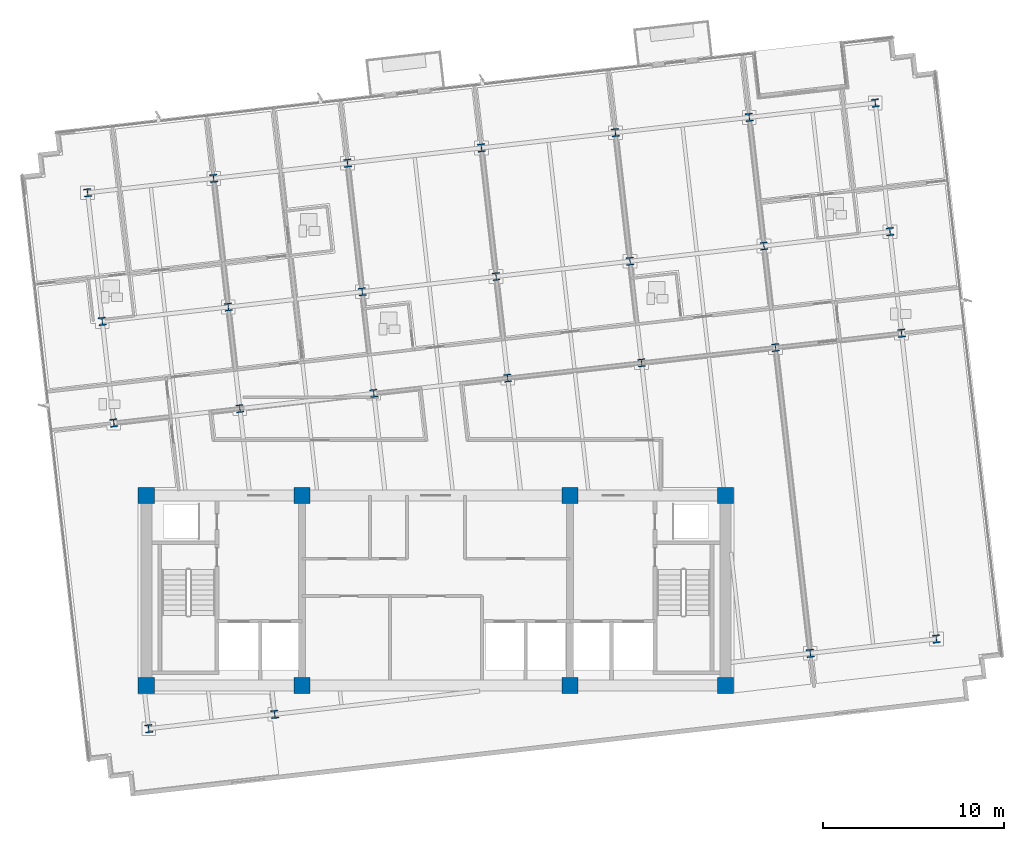
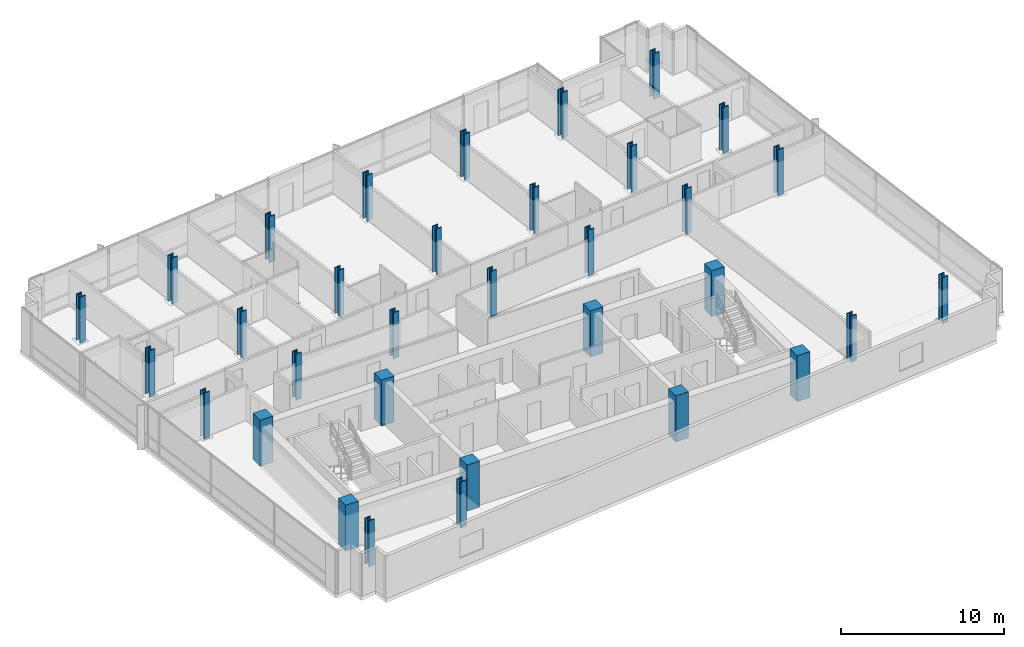
# One storey, part 1 of 16: 33 columns.
"""IFC4 building model written with IfcOpenShell, lengths in metres."""

from ifc_helpers import new_model, si_unit, direction, frame, origin, origin_2d, place, context, subcontext, project, spatial, rectangle, i_section, extrude, material, material_profile, profile_set, type_object, element, save


model = new_model("IFC4")

# Units and contexts
model_context = context("Model", 3, precision=1e-05, world=origin(), true_north=direction((0.0, 1.0)))
body_context = subcontext(model_context, "Body", "Model", "MODEL_VIEW")
ifc_project = project(units=[si_unit("LENGTHUNIT", "METRE"), si_unit("AREAUNIT", "SQUARE_METRE"), si_unit("VOLUMEUNIT", "CUBIC_METRE"), si_unit("PLANEANGLEUNIT", "RADIAN"), si_unit("MASSUNIT", "GRAM", prefix="KILO")], contexts=[model_context])

# Site, building, storey
site_placement = place(None, origin())
site = spatial("IfcSite", under=ifc_project, at=site_placement, CompositionType="ELEMENT")
building_placement = place(site_placement, origin())
building = spatial("IfcBuilding", under=site, at=building_placement, Name="Solmavex Isthmus Hotel", CompositionType="ELEMENT")
storey_placement = place(building_placement, frame((0.0, 0.0, 219.300048828125)))
storey = spatial("IfcBuildingStorey", under=building, at=storey_placement, Name="L59", CompositionType="ELEMENT", Elevation=219.300048828125)

# Columns
ifc_material_1 = material(Name="Concrete C50/60", Category="concrete")
ifc_material_profile_1 = material_profile(ifc_material_1, rectangle(XDim=0.89990234375, YDim=0.89990234375, at=origin_2d()), Name="RC900X900")
ifc_profile_set_1 = profile_set([ifc_material_profile_1], Name="Concrete C50/60")
column_type_1 = type_object("IfcColumnType", Name="COL-CC-900", PredefinedType="COLUMN", material=ifc_profile_set_1)
for number, where, z_axis, x_axis, name in (
    (1, (-16.0, -13.0, 0.0), (0.0, 0.0, 1.0), (1.0, 0.0, 0.0), "Core Pilaster CC-SW L59"),
    (2, (-7.39990234375, -13.0, 0.0), (0.0, 0.0, 1.0), (1.0, 0.0, 0.0), "Core Pilaster CC-S1 L59"),
    (3, (7.39990234375, -13.0, 0.0), (0.0, 0.0, 1.0), (1.0, 0.0, 0.0), "Core Pilaster CC-S2 L59"),
    (4, (16.0, -13.0, 0.0), (0.0, 0.0, 1.0), (1.0, 0.0, 0.0), "Core Pilaster CC-SE L59"),
    (5, (-16.0, -2.5, 0.0), (0.0, 0.0, 1.0), (1.0, 0.0, 0.0), "Core Pilaster CC-NW L59"),
    (6, (-7.39990234375, -2.5, 0.0), (0.0, 0.0, 1.0), (1.0, 0.0, 0.0), "Core Pilaster CC-N1 L59"),
    (7, (7.39990234375, -2.5, 0.0), (0.0, 0.0, 1.0), (1.0, 0.0, 0.0), "Core Pilaster CC-N2 L59"),
    (8, (16.0, -2.5, 0.0), (0.0, 0.0, 1.0), (1.0, 0.0, 0.0), "Core Pilaster CC-NE L59"),
):
    element("IfcColumn", number, at=place(storey_placement, frame(where, z_axis=z_axis, x_axis=x_axis)), inside=storey, type_object=column_type_1, Name=name, PredefinedType="COLUMN", context=body_context, shape_type="SweptSolid", body=[
        extrude(rectangle(XDim=0.89990234375, YDim=0.89990234375, at=origin_2d()), origin(), (0.0, 0.0, 1.0), 3.449951171875),
    ])
ifc_material_2 = material(Name="Steel ASTM A913 Grade 65", Category="steel")
ifc_material_profile_2 = material_profile(ifc_material_2, i_section(OverallWidth=0.412109375, OverallDepth=0.434814453125, WebThickness=0.035888671875, FlangeThickness=0.057373046875, FilletRadius=0.030517578125, at=origin_2d()), Name="W14X311")
ifc_profile_set_2 = profile_set([ifc_material_profile_2], Name="Steel ASTM A913 Grade 65")
column_type_2 = type_object("IfcColumnType", Name="COL-SC-W14X311", PredefinedType="COLUMN", material=ifc_profile_set_2)
for number, where, z_axis, x_axis, name in (
    (9, (-10.833984375, 2.30078125, 0.0), (0.0, 0.0, 1.0), (0.993571855677, 0.113203213768, 0.0), "Tower Column B4-U2V2 L59"),
    (10, (-11.473388671875, 7.912353515625, 0.0), (0.0, 0.0, 1.0), (0.993571855677, 0.113203213768, 0.0), "Tower Column B4-U2V3 L59"),
    (11, (-3.435791015625, 3.1435546875, 0.0), (0.0, 0.0, 1.0), (0.993571855677, 0.113203213768, 0.0), "Tower Column B4-U3V2 L59"),
    (12, (-4.0751953125, 8.75537109375, 0.0), (0.0, 0.0, 1.0), (0.993571855677, 0.113203213768, 0.0), "Tower Column B4-U3V3 L59"),
    (13, (3.962158203125, 3.986572265625, 0.0), (0.0, 0.0, 1.0), (0.993571855677, 0.113203213768, 0.0), "Tower Column B4-U4V2 L59"),
    (14, (3.322998046875, 9.59814453125, 0.0), (0.0, 0.0, 1.0), (0.993571855677, 0.113203213768, 0.0), "Tower Column B4-U4V3 L59"),
    (15, (11.3603515625, 4.829345703125, 0.0), (0.0, 0.0, 1.0), (0.993571855677, 0.113203213768, 0.0), "Tower Column B4-U5V2 L59"),
    (16, (10.720947265625, 10.441162109375, 0.0), (0.0, 0.0, 1.0), (0.993571855677, 0.113203213768, 0.0), "Tower Column B4-U5V3 L59"),
    (17, (18.758544921875, 5.67236328125, 0.0), (0.0, 0.0, 1.0), (0.993571855677, 0.113203213768, 0.0), "Tower Column B4-U6V2 L59"),
    (18, (18.119140625, 11.283935546875, 0.0), (0.0, 0.0, 1.0), (0.993571855677, 0.113203213768, 0.0), "Tower Column B4-U6V3 L59"),
):
    element("IfcColumn", number, at=place(storey_placement, frame(where, z_axis=z_axis, x_axis=x_axis)), inside=storey, type_object=column_type_2, Name=name, PredefinedType="COLUMN", context=body_context, shape_type="SweptSolid", body=[
        extrude(i_section(OverallWidth=0.412109375, OverallDepth=0.434814453125, WebThickness=0.035888671875, FlangeThickness=0.057373046875, FilletRadius=0.030517578125, at=origin_2d()), origin(), (0.0, 0.0, 1.0), 3.449951171875),
    ])
ifc_material_profile_3 = material_profile(ifc_material_2, i_section(OverallWidth=0.41845703125, OverallDepth=0.455078125, WebThickness=0.0419921875, FlangeThickness=0.067626953125, FilletRadius=0.030517578125, at=origin_2d()), Name="W14X370")
ifc_profile_set_3 = profile_set([ifc_material_profile_3], Name="Steel ASTM A913 Grade 65")
column_type_3 = type_object("IfcColumnType", Name="COL-SC-W14X370", PredefinedType="COLUMN", material=ifc_profile_set_3)
for number, where, z_axis, x_axis, name in (
    (19, (-15.87255859375, -15.38330078125, 0.0), (0.0, 0.0, 1.0), (0.993571855677, 0.113203213768, 0.0), "Tower Column B4-U1V1 L59"),
    (20, (-17.796875, 1.50732421875, 0.0), (0.0, 0.0, 1.0), (0.993571855677, 0.113203213768, 0.0), "Tower Column B4-U1V2 L59"),
    (21, (-18.436279296875, 7.119140625, 0.0), (0.0, 0.0, 1.0), (0.993571855677, 0.113203213768, 0.0), "Tower Column B4-U1V3 L59"),
    (22, (-19.245849609375, 14.22509765625, 0.0), (0.0, 0.0, 1.0), (0.993571855677, 0.113203213768, 0.0), "Tower Column B4-U1V4 L59"),
    (23, (-8.909423828125, -14.590087890625, 0.0), (0.0, 0.0, 1.0), (0.993571855677, 0.113203213768, 0.0), "Tower Column B4-U2V1 L59"),
    (24, (-12.282958984375, 15.018310546875, 0.0), (0.0, 0.0, 1.0), (0.993571855677, 0.113203213768, 0.0), "Tower Column B4-U2V4 L59"),
    (25, (-4.884765625, 15.861328125, 0.0), (0.0, 0.0, 1.0), (0.993571855677, 0.113203213768, 0.0), "Tower Column B4-U3V4 L59"),
    (26, (2.51318359375, 16.7041015625, 0.0), (0.0, 0.0, 1.0), (0.993571855677, 0.113203213768, 0.0), "Tower Column B4-U4V4 L59"),
    (27, (9.911376953125, 17.547119140625, 0.0), (0.0, 0.0, 1.0), (0.993571855677, 0.113203213768, 0.0), "Tower Column B4-U5V4 L59"),
    (28, (20.68310546875, -11.218505859375, 0.0), (0.0, 0.0, 1.0), (0.993571855677, 0.113203213768, 0.0), "Tower Column B4-U6V1 L59"),
    (29, (17.3095703125, 18.39013671875, 0.0), (0.0, 0.0, 1.0), (0.993571855677, 0.113203213768, 0.0), "Tower Column B4-U6V4 L59"),
    (30, (27.64599609375, -10.425048828125, 0.0), (0.0, 0.0, 1.0), (0.993571855677, 0.113203213768, 0.0), "Tower Column B4-U7V1 L59"),
    (31, (25.721435546875, 6.465576171875, 0.0), (0.0, 0.0, 1.0), (0.993571855677, 0.113203213768, 0.0), "Tower Column B4-U7V2 L59"),
    (32, (25.08203125, 12.077392578125, 0.0), (0.0, 0.0, 1.0), (0.993571855677, 0.113203213768, 0.0), "Tower Column B4-U7V3 L59"),
    (33, (24.2724609375, 19.183349609375, 0.0), (0.0, 0.0, 1.0), (0.993571855677, 0.113203213768, 0.0), "Tower Column B4-U7V4 L59"),
):
    element("IfcColumn", number, at=place(storey_placement, frame(where, z_axis=z_axis, x_axis=x_axis)), inside=storey, type_object=column_type_3, Name=name, PredefinedType="COLUMN", context=body_context, shape_type="SweptSolid", body=[
        extrude(i_section(OverallWidth=0.41845703125, OverallDepth=0.455078125, WebThickness=0.0419921875, FlangeThickness=0.067626953125, FilletRadius=0.030517578125, at=origin_2d()), origin(), (0.0, 0.0, 1.0), 3.449951171875),
    ])

save(model, "model.ifc")
